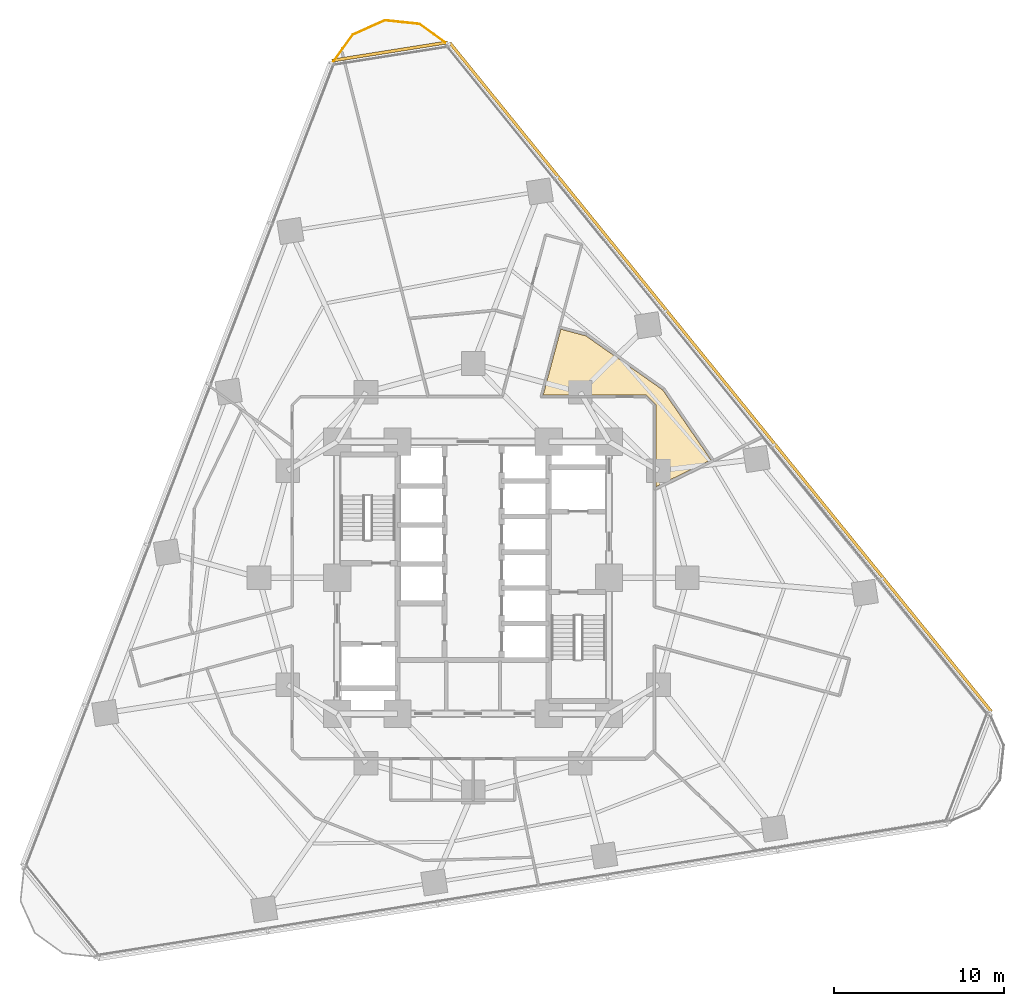
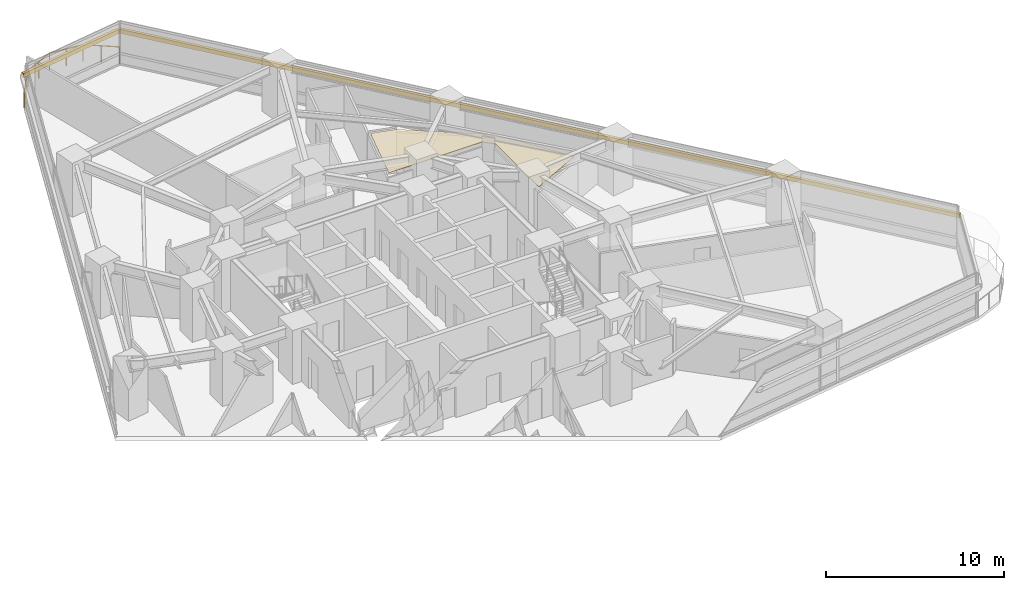
# One storey, part 14 of 14: 2 shading devices, 1 covering, 1 railing.
"""IFC4 building model written with IfcOpenShell, lengths in metres."""

from ifc_helpers import new_model, si_unit, direction, frame, origin, origin_2d, place, context, subcontext, project, spatial, polyline, rectangle, circle, outline, extrude, material, layer, layer_set, type_object, element, save


model = new_model("IFC4")

# Units and contexts
model_context = context("Model", 3, precision=1e-05, world=origin(), true_north=direction((0.0, 1.0)))
body_context = subcontext(model_context, "Body", "Model", "MODEL_VIEW")
ifc_project = project(units=[si_unit("LENGTHUNIT", "METRE"), si_unit("AREAUNIT", "SQUARE_METRE"), si_unit("VOLUMEUNIT", "CUBIC_METRE"), si_unit("PLANEANGLEUNIT", "RADIAN"), si_unit("MASSUNIT", "GRAM", prefix="KILO")], contexts=[model_context])

# Site, building, storey
site_placement = place(None, origin())
site = spatial("IfcSite", under=ifc_project, at=site_placement, CompositionType="ELEMENT")
building_placement = place(site_placement, origin())
building = spatial("IfcBuilding", under=site, at=building_placement, Name="Terralouvre Media Tower", CompositionType="ELEMENT")
storey_placement = place(building_placement, frame((0.0, 0.0, 74.10009765625)))
storey = spatial("IfcBuildingStorey", under=building, at=storey_placement, Name="L18", CompositionType="ELEMENT", Elevation=74.10009765625)

# Covering
ifc_material_1 = material(Name="Perforated aluminium acoustic ceiling baffle", Category="aluminium")
ifc_layer_1 = layer(ifc_material_1, 0.0400390625, Name="Perforated Acoustic Metal Tile Ceiling CL-AC1")
ifc_layer_set_1 = layer_set([ifc_layer_1], Name="Perforated aluminium acoustic ceiling baffle")
covering_type = type_object("IfcCoveringType", Name="Perforated Acoustic Metal Tile Ceiling CL-AC1", PredefinedType="CEILING", material=ifc_layer_set_1)
covering_placement = place(storey_placement, frame((0.0, 0.0, 2.97998046875), z_axis=(0.0, 0.0, 1.0), x_axis=(0.987688340595, 0.15643446504, 0.0)))
element("IfcCovering", 1, at=covering_placement, inside=storey, type_object=covering_type, Name="L18 Program Schedule Briefing Room 7 Acoustic Ceiling", PredefinedType="CEILING", context=body_context, shape_type="SweptSolid", body=[
    extrude(outline(polyline([(12.740478515625, 9.17138671875), (8.778076171875, 13.014892578125), (7.38330078125, 13.632568359375), (5.753173828125, 9.972900390625), (11.706787109375, 9.02978515625), (11.71630859375, 9.02783203125), (11.7255859375, 9.02490234375), (11.734619140625, 9.02099609375), (11.743408203125, 9.016357421875), (11.75146484375, 9.0107421875), (11.759033203125, 9.00439453125), (11.765869140625, 8.99755859375), (11.77197265625, 8.98974609375), (12.1875, 8.417724609375), (12.19287109375, 8.409423828125), (12.197509765625, 8.40087890625), (12.201171875, 8.391845703125), (12.203857421875, 8.38232421875), (12.205810546875, 8.372802734375), (12.20654296875, 8.363037109375), (12.20654296875, 8.35302734375), (12.20556640625, 8.34326171875), (11.455078125, 3.6064453125), (14.904296875, 4.66064453125), (12.740478515625, 9.17138671875)])), origin(), (0.0, 0.0, 1.0), 0.0400390625),
])

# Railing
ifc_material_2 = material(Name="Stainless steel 316 handrail and balustrade", Category="steel")
ifc_layer_2 = layer(ifc_material_2, 0.06005859375, Name="Roof Edge Safety Guardrail GR-ROOF1")
ifc_layer_set_2 = layer_set([ifc_layer_2], Name="Stainless steel 316 handrail and balustrade")
railing_type = type_object("IfcRailingType", Name="Roof Edge Safety Guardrail GR-ROOF1", PredefinedType="GUARDRAIL", material=ifc_layer_set_2)
railing_placement = place(storey_placement, frame((-1.47998046875, 31.36669921875, 0.0)))
element("IfcRailing", 2, at=railing_placement, inside=storey, type_object=railing_type, Name="L18 Wind-Corner Perimeter Safety Guardrail C2", PredefinedType="GUARDRAIL", context=body_context, shape_type="SweptSolid", body=[
    extrude(circle(Radius=0.02099609375, at=origin_2d()), frame((0.0, 0.0, 1.12890625), z_axis=(-0.808843708148, 0.588023686419, 0.0), x_axis=(-0.588023686419, -0.808843708148, 0.0)), (0.0, 0.0, 1.0), 2.059814453125),
    extrude(circle(Radius=0.02099609375, at=origin_2d()), frame((-1.666015625, 1.211181640625, 1.12890625), z_axis=(-0.994517140727, 0.104573690763, 0.0), x_axis=(-0.104573690763, -0.994517140727, 0.0)), (0.0, 0.0, 1.0), 2.05908203125),
    extrude(circle(Radius=0.02099609375, at=origin_2d()), frame((-3.7138671875, 1.426513671875, 1.12890625), z_axis=(-0.913542473205, -0.406743346167, 0.0), x_axis=(0.406743346167, -0.913542473205, 0.0)), (0.0, 0.0, 1.0), 2.059326171875),
    extrude(circle(Radius=0.02099609375, at=origin_2d()), frame((-5.59521484375, 0.5888671875, 1.12890625), z_axis=(-0.587544282361, -0.80919201446, 0.0), x_axis=(0.80919201446, -0.587544282361, 0.0)), (0.0, 0.0, 1.0), 2.059814453125),
    extrude(circle(Radius=0.01904296875, at=origin_2d()), origin(), (0.0, 0.0, 1.0), 1.10791015625),
    extrude(circle(Radius=0.01904296875, at=origin_2d()), frame((-0.8330078125, 0.60546875, 0.0)), (0.0, 0.0, 1.0), 1.10791015625),
    extrude(circle(Radius=0.01904296875, at=origin_2d()), frame((-1.666015625, 1.211181640625, 0.0)), (0.0, 0.0, 1.0), 1.10791015625),
    extrude(circle(Radius=0.01904296875, at=origin_2d()), frame((-2.68994140625, 1.31884765625, 0.0)), (0.0, 0.0, 1.0), 1.10791015625),
    extrude(circle(Radius=0.01904296875, at=origin_2d()), frame((-3.7138671875, 1.426513671875, 0.0)), (0.0, 0.0, 1.0), 1.10791015625),
    extrude(circle(Radius=0.01904296875, at=origin_2d()), frame((-4.654541015625, 1.0078125, 0.0)), (0.0, 0.0, 1.0), 1.10791015625),
    extrude(circle(Radius=0.01904296875, at=origin_2d()), frame((-5.59521484375, 0.5888671875, 0.0)), (0.0, 0.0, 1.0), 1.10791015625),
    extrude(circle(Radius=0.01904296875, at=origin_2d()), frame((-6.2001953125, -0.24462890625, 0.0)), (0.0, 0.0, 1.0), 1.10791015625),
    extrude(circle(Radius=0.01904296875, at=origin_2d()), frame((-6.805419921875, -1.077880859375, 0.0)), (0.0, 0.0, 1.0), 1.10791015625),
])

# Shading devices
ifc_material_3 = material(Name="Extruded terracotta baguette sunshade louvres", Category="masonry")
shading_device_type = type_object("IfcShadingDeviceType", Name="Terracotta Baguette Sunshade Louvre Screen TB-LV1", PredefinedType="USERDEFINED", material=ifc_material_3)
shading_device_1_placement = place(storey_placement, frame((14.5625, 11.79248046875, 2.02392578125), z_axis=(0.0, 0.0, 1.0), x_axis=(-0.629320350521, 0.777145994276, 0.0)))
element("IfcShadingDevice", 3, at=shading_device_1_placement, inside=storey, type_object=shading_device_type, Name="CW-L18-F1 Terracotta Baguette Sunshade Louvre", ObjectType="BAGUETTE", PredefinedType="USERDEFINED", context=body_context, shape_type="SweptSolid", body=[
    extrude(rectangle(XDim=50.639892578125, YDim=0.179931640625, at=origin_2d()), origin(), (0.0, 0.0, 1.0), 0.280029296875),
])
shading_device_2_placement = place(storey_placement, frame((-4.90380859375, 30.961181640625, 2.02392578125), z_axis=(0.0, 0.0, 1.0), x_axis=(-0.987688353034, -0.156434386502, 0.0)))
element("IfcShadingDevice", 4, at=shading_device_2_placement, inside=storey, type_object=shading_device_type, Name="CW-L18-C2 Terracotta Baguette Sunshade Louvre", ObjectType="BAGUETTE", PredefinedType="USERDEFINED", context=body_context, shape_type="SweptSolid", body=[
    extrude(rectangle(XDim=6.8935546875, YDim=0.179931640625, at=origin_2d()), origin(), (0.0, 0.0, 1.0), 0.280029296875),
])

save(model, "model.ifc")
